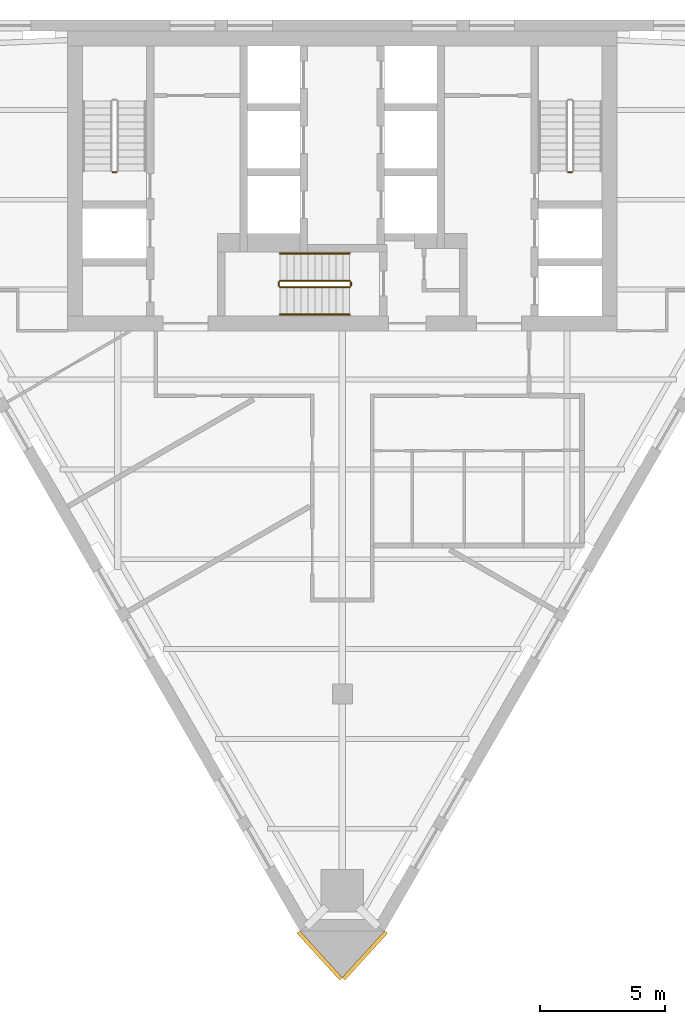
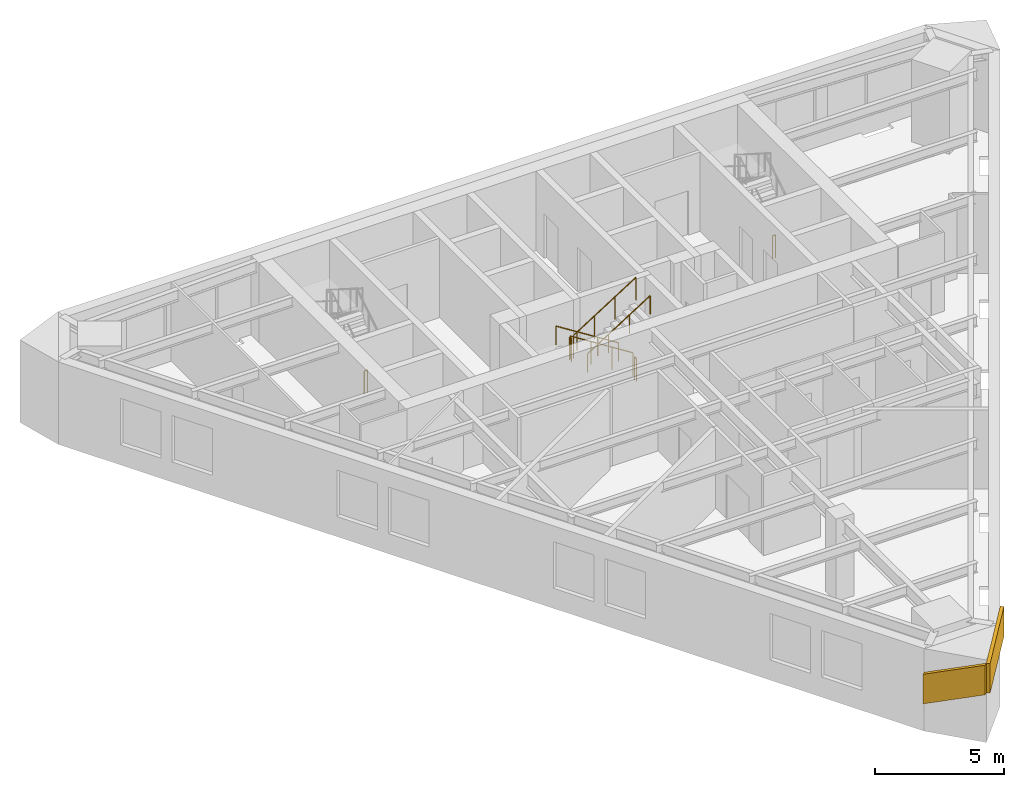
# One storey, part 6 of 7: 8 railings, 2 coverings.
"""IFC4 building model written with IfcOpenShell, lengths in metres."""

from ifc_helpers import new_model, si_unit, direction, frame, origin, origin_2d, place, context, subcontext, project, spatial, polyline, circle, outline, extrude, material, layer, layer_set, type_object, element, save


model = new_model("IFC4")

# Units and contexts
model_context = context("Model", 3, precision=1e-05, world=origin(), true_north=direction((0.0, 1.0)))
body_context = subcontext(model_context, "Body", "Model", "MODEL_VIEW")
ifc_project = project(units=[si_unit("LENGTHUNIT", "METRE"), si_unit("AREAUNIT", "SQUARE_METRE"), si_unit("VOLUMEUNIT", "CUBIC_METRE"), si_unit("PLANEANGLEUNIT", "RADIAN"), si_unit("MASSUNIT", "GRAM", prefix="KILO")], contexts=[model_context])

# Site, building, storey
site_placement = place(None, origin())
site = spatial("IfcSite", under=ifc_project, at=site_placement, CompositionType="ELEMENT")
building_placement = place(site_placement, origin())
building = spatial("IfcBuilding", under=site, at=building_placement, Name="Aloe Facet Convention Tower", CompositionType="ELEMENT")
storey_placement = place(building_placement, frame((0.0, 0.0, 207.5)))
storey = spatial("IfcBuildingStorey", under=building, at=storey_placement, Name="L52", CompositionType="ELEMENT", Elevation=207.5)

# Railings
ifc_material_1 = material(Name="Steel S355 balustrade", Category="steel")
railing_type_1 = type_object("IfcRailingType", Name="CR-RL-GUARD", PredefinedType="GUARDRAIL", material=ifc_material_1)
for number, where, name in (
    (1, (70.949951171875, 128.89990234375, 0.0), "L52 ST1 stair guard 4"),
    (2, (89.199951171875, 128.89990234375, 0.0), "L52 ST2 stair guard 4"),
):
    element("IfcRailing", number, at=place(storey_placement, frame(where)), inside=storey, type_object=railing_type_1, Name=name, PredefinedType="GUARDRAIL", context=body_context, shape_type="SweptSolid", body=[
        extrude(circle(Radius=0.02392578125, at=origin_2d()), frame((0.0, 0.0, 1.076171875), z_axis=(-1.0, 0.0, 0.0), x_axis=(0.0, -1.0, 0.0)), (0.0, 0.0, 1.0), 0.14990234375),
        extrude(circle(Radius=0.02099609375, at=origin_2d()), origin(), (0.0, 0.0, 1.0), 1.052001953125),
        extrude(circle(Radius=0.02099609375, at=origin_2d()), frame((-0.14990234375, 0.0, 0.0)), (0.0, 0.0, 1.0), 1.052001953125),
    ])
railing_1_placement = place(storey_placement, frame((80.300048828125, 124.550048828125, 0.17724609375)))
element("IfcRailing", 3, at=railing_1_placement, inside=storey, type_object=railing_type_1, Name="L52 ST3 stair guard 1", PredefinedType="GUARDRAIL", context=body_context, shape_type="SweptSolid", body=[
    extrude(circle(Radius=0.02392578125, at=origin_2d()), frame((0.0, 0.0, 1.076171875), z_axis=(-0.844908973607, 0.0, 0.534910110503), x_axis=(0.0, -1.0, 0.0)), (0.0, 0.0, 1.0), 3.31396484375),
    extrude(circle(Radius=0.02099609375, at=origin_2d()), origin(), (0.0, 0.0, 1.0), 1.052001953125),
    extrude(circle(Radius=0.02099609375, at=origin_2d()), frame((-0.933349609375, 0.0, 0.5908203125)), (0.0, 0.0, 1.0), 1.052001953125),
    extrude(circle(Radius=0.02099609375, at=origin_2d()), frame((-1.86669921875, 0.0, 1.181884765625)), (0.0, 0.0, 1.0), 1.052001953125),
    extrude(circle(Radius=0.02099609375, at=origin_2d()), frame((-2.800048828125, 0.0, 1.772705078125)), (0.0, 0.0, 1.0), 1.052001953125),
])
railing_2_placement = place(storey_placement, frame((77.449951171875, 124.5, 1.949951171875)))
element("IfcRailing", 4, at=railing_2_placement, inside=storey, type_object=railing_type_1, Name="L52 ST3 stair guard 2", PredefinedType="GUARDRAIL", context=body_context, shape_type="SweptSolid", body=[
    extrude(circle(Radius=0.02392578125, at=origin_2d()), frame((0.0, 0.0, 1.076171875), z_axis=(0.0, -1.0, 0.0), x_axis=(1.0, 0.0, 0.0)), (0.0, 0.0, 1.0), 0.14990234375),
    extrude(circle(Radius=0.02099609375, at=origin_2d()), origin(), (0.0, 0.0, 1.0), 1.052001953125),
    extrude(circle(Radius=0.02099609375, at=origin_2d()), frame((0.0, -0.14990234375, 0.0)), (0.0, 0.0, 1.0), 1.052001953125),
])
railing_3_placement = place(storey_placement, frame((77.5, 124.300048828125, 2.127197265625)))
element("IfcRailing", 5, at=railing_3_placement, inside=storey, type_object=railing_type_1, Name="L52 ST3 stair guard 3", PredefinedType="GUARDRAIL", context=body_context, shape_type="SweptSolid", body=[
    extrude(circle(Radius=0.02392578125, at=origin_2d()), frame((0.0, 0.0, 1.076171875), z_axis=(0.844908973607, 0.0, 0.534910110503), x_axis=(0.0, 1.0, 0.0)), (0.0, 0.0, 1.0), 3.31396484375),
    extrude(circle(Radius=0.02099609375, at=origin_2d()), origin(), (0.0, 0.0, 1.0), 1.052001953125),
    extrude(circle(Radius=0.02099609375, at=origin_2d()), frame((0.933349609375, 0.0, 0.5908203125)), (0.0, 0.0, 1.0), 1.052001953125),
    extrude(circle(Radius=0.02099609375, at=origin_2d()), frame((1.86669921875, 0.0, 1.181884765625)), (0.0, 0.0, 1.0), 1.052001953125),
    extrude(circle(Radius=0.02099609375, at=origin_2d()), frame((2.800048828125, 0.0, 1.772705078125)), (0.0, 0.0, 1.0), 1.052001953125),
])
railing_4_placement = place(storey_placement, frame((80.35009765625, 124.5, 0.0)))
element("IfcRailing", 6, at=railing_4_placement, inside=storey, type_object=railing_type_1, Name="L52 ST3 stair guard 4", PredefinedType="GUARDRAIL", context=body_context, shape_type="SweptSolid", body=[
    extrude(circle(Radius=0.02392578125, at=origin_2d()), frame((0.0, 0.0, 1.076171875), z_axis=(0.0, -1.0, 0.0), x_axis=(1.0, 0.0, 0.0)), (0.0, 0.0, 1.0), 0.14990234375),
    extrude(circle(Radius=0.02099609375, at=origin_2d()), origin(), (0.0, 0.0, 1.0), 1.052001953125),
    extrude(circle(Radius=0.02099609375, at=origin_2d()), frame((0.0, -0.14990234375, 0.0)), (0.0, 0.0, 1.0), 1.052001953125),
])
ifc_material_2 = material(Name="Steel S355 handrail", Category="steel")
railing_type_2 = type_object("IfcRailingType", Name="CR-RL-HAND", PredefinedType="HANDRAIL", material=ifc_material_2)
railing_5_placement = place(storey_placement, frame((80.300048828125, 125.64990234375, 0.17724609375)))
element("IfcRailing", 7, at=railing_5_placement, inside=storey, type_object=railing_type_2, Name="L52 ST3 stair handrail 1", PredefinedType="HANDRAIL", context=body_context, shape_type="SweptSolid", body=[
    extrude(circle(Radius=0.02392578125, at=origin_2d()), frame((0.0, 0.0, 0.8759765625), z_axis=(-0.844908973607, 0.0, 0.534910110503), x_axis=(0.0, -1.0, 0.0)), (0.0, 0.0, 1.0), 3.31396484375),
    extrude(circle(Radius=0.02099609375, at=origin_2d()), origin(), (0.0, 0.0, 1.0), 0.851806640625),
    extrude(circle(Radius=0.02099609375, at=origin_2d()), frame((-0.933349609375, 0.0, 0.5908203125)), (0.0, 0.0, 1.0), 0.851806640625),
    extrude(circle(Radius=0.02099609375, at=origin_2d()), frame((-1.86669921875, 0.0, 1.181884765625)), (0.0, 0.0, 1.0), 0.851806640625),
    extrude(circle(Radius=0.02099609375, at=origin_2d()), frame((-2.800048828125, 0.0, 1.772705078125)), (0.0, 0.0, 1.0), 0.851806640625),
])
railing_6_placement = place(storey_placement, frame((77.5, 123.199951171875, 2.127197265625)))
element("IfcRailing", 8, at=railing_6_placement, inside=storey, type_object=railing_type_2, Name="L52 ST3 stair handrail 2", PredefinedType="HANDRAIL", context=body_context, shape_type="SweptSolid", body=[
    extrude(circle(Radius=0.02392578125, at=origin_2d()), frame((0.0, 0.0, 0.8759765625), z_axis=(0.844908973607, 0.0, 0.534910110503), x_axis=(0.0, 1.0, 0.0)), (0.0, 0.0, 1.0), 3.31396484375),
    extrude(circle(Radius=0.02099609375, at=origin_2d()), origin(), (0.0, 0.0, 1.0), 0.851806640625),
    extrude(circle(Radius=0.02099609375, at=origin_2d()), frame((0.933349609375, 0.0, 0.5908203125)), (0.0, 0.0, 1.0), 0.851806640625),
    extrude(circle(Radius=0.02099609375, at=origin_2d()), frame((1.86669921875, 0.0, 1.181884765625)), (0.0, 0.0, 1.0), 0.851806640625),
    extrude(circle(Radius=0.02099609375, at=origin_2d()), frame((2.800048828125, 0.0, 1.772705078125)), (0.0, 0.0, 1.0), 0.851806640625),
])

# Coverings
ifc_material_3 = material(Name="Bronze oxide fascia sheet")
ifc_layer = layer(ifc_material_3, 0.14990234375)
ifc_layer_set = layer_set([ifc_layer], Name="EV-FASCIA-TERR")
covering_type = type_object("IfcCoveringType", Name="EV-FASCIA-TERR", PredefinedType="CLADDING", material=ifc_layer_set)
covering_1_placement = place(storey_placement, frame((78.18896484375, 98.4140625, 1.2353515625), z_axis=(-0.739616383495, -0.673028680865, 0.0), x_axis=(0.628609291766, -0.690802255871, 0.35727104779)))
element("IfcCovering", 9, at=covering_1_placement, inside=storey, type_object=covering_type, Name="Spiral ribbon zone 4 part 7 over the corner spine", PredefinedType="CLADDING", context=body_context, shape_type="SweptSolid", body=[
    extrude(outline(polyline([(0.0, 0.0), (2.7046932566387016, -1.1102230246251565e-16), (3.2048378337940155, 1.3075098370486073), (0.5001445771553137, 1.3075098370486073), (0.0, 0.0)])), origin(), (0.0, 0.0, -1.0), 0.14990234375),
])
covering_2_placement = place(storey_placement, frame((80.11083984375, 96.545654296875, 2.20166015625), z_axis=(0.739616383495, -0.673028680865, 0.0), x_axis=(0.628629562375, 0.690824532001, 0.35719230016)))
element("IfcCovering", 10, at=covering_2_placement, inside=storey, type_object=covering_type, Name="Spiral ribbon zone 4 part 8 over the corner spine", PredefinedType="CLADDING", context=body_context, shape_type="SweptSolid", body=[
    extrude(outline(polyline([(0.0, 0.0), (2.7046060418743925, -1.1102230246251565e-16), (3.2047275851898847, 1.3077800348756674), (0.5000343381640858, 1.3075519999960032), (0.0, 0.0)])), origin(), (0.0, 0.0, -1.0), 0.14990234375),
])

save(model, "model.ifc")
